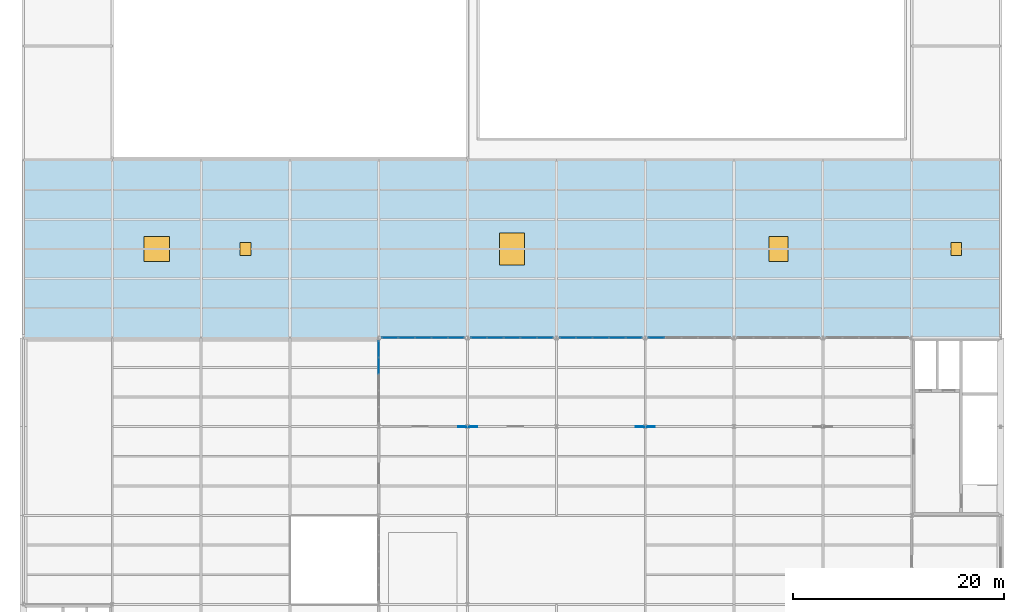
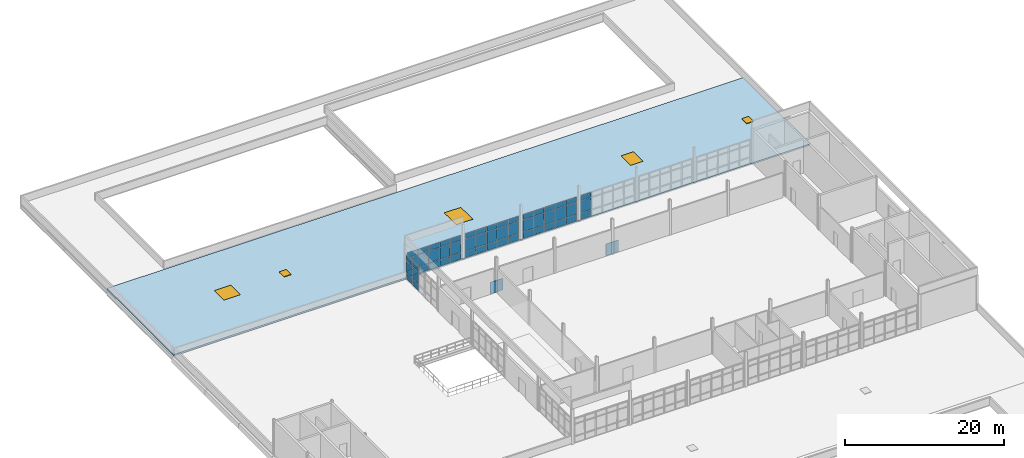
# One storey, part 26 of 33: 56 plates, 3 windows, 2 doors, 1 slab, 5 openings, 5 elements without a shape of their own.
"""IFC4 building model written with IfcOpenShell, lengths in metres."""

from ifc_helpers import new_model, si_unit, direction, frame, origin, origin_2d, place, context, subcontext, project, spatial, polyline, rectangle, outline, extrude, material, layer, layer_set, type_object, element, fill, aggregate, save


model = new_model("IFC4")

# Units and contexts
model_context = context("Model", 3, precision=1e-05, world=origin(), true_north=direction((0.0, 1.0)))
body_context = subcontext(model_context, "Body", "Model", "MODEL_VIEW")
ifc_project = project(units=[si_unit("LENGTHUNIT", "METRE"), si_unit("AREAUNIT", "SQUARE_METRE"), si_unit("VOLUMEUNIT", "CUBIC_METRE"), si_unit("PLANEANGLEUNIT", "RADIAN"), si_unit("MASSUNIT", "GRAM", prefix="KILO"), si_unit("THERMODYNAMICTEMPERATUREUNIT", "KELVIN"), si_unit("POWERUNIT", "WATT")], contexts=[model_context])

# Site, building, storey
site_placement = place(None, origin())
site = spatial("IfcSite", under=ifc_project, at=site_placement, CompositionType="ELEMENT")
building_placement = place(site_placement, origin())
building = spatial("IfcBuilding", under=site, at=building_placement, Name="Tembeka Court Mobility Hub", CompositionType="ELEMENT")
storey_placement = place(building_placement, frame((0.0, 0.0, 23.39990234375)))
storey = spatial("IfcBuildingStorey", under=building, at=storey_placement, Name="L06", CompositionType="ELEMENT", Elevation=23.39990234375)

# Plates
ifc_material_1 = material(Name="Framed galvanised steel sports court rebound mesh panel", Category="steel")
ifc_layer_1 = layer(ifc_material_1, 0.075927734375)
ifc_layer_set_1 = layer_set([ifc_layer_1], Name="Framed galvanised steel sports court rebound mesh panel")
plate_type_1 = type_object("IfcPlateType", Name="PL-AC02", PredefinedType="SHEET", material=ifc_layer_set_1)
for number, where, z_axis, x_axis, name in (
    (1, (42.0, 72.0, 0.0), (0.0, 0.0, 1.0), (1.0, 0.0, 0.0), "Sports court rebound mesh panel AP02-1"),
    (2, (58.800048828125, 72.0, 0.0), (0.0, 0.0, 1.0), (1.0, 0.0, 0.0), "Sports court rebound mesh panel AP02-2"),
):
    element("IfcPlate", number, at=place(storey_placement, frame(where, z_axis=z_axis, x_axis=x_axis)), inside=storey, type_object=plate_type_1, Name=name, PredefinedType="SHEET", context=body_context, shape_type="SweptSolid", body=[
        extrude(rectangle(XDim=1.800048828125, YDim=0.075927734375, at=origin_2d()), origin(), (0.0, 0.0, 1.0), 1.800048828125),
    ])

# Curtain wall, plates
ifc_material_2 = material(Name="Anodised aluminium 6063-T6", Category="aluminium")
ifc_layer_2 = layer(ifc_material_2, 0.159912109375)
ifc_layer_set_2 = layer_set([ifc_layer_2], Name="Anodised aluminium 6063-T6")
curtain_wall_type = type_object("IfcCurtainWallType", Name="CW-SYS57", PredefinedType="USERDEFINED", material=ifc_layer_set_2)
curtain_wall_1_placement = place(storey_placement, origin())
curtain_wall_1 = element("IfcCurtainWall", 3, at=curtain_wall_1_placement, inside=storey, type_object=curtain_wall_type, Name="Unitised curtain wall CW57 (CW-L06-151)", ObjectType="UNITISED GLAZING", PredefinedType="USERDEFINED")
ifc_material_3 = material(Name="Laminated solar-control low-E glass", Category="glass")
ifc_layer_3 = layer(ifc_material_3, 0.028076171875)
ifc_layer_set_3 = layer_set([ifc_layer_3], Name="Laminated solar-control low-E glass")
plate_type_2 = type_object("IfcPlateType", Name="PL-CW01", PredefinedType="CURTAIN_PANEL", material=ifc_layer_set_3)
plate_1_placement = place(storey_placement, frame((33.60009765625, 77.76806640625, 0.06494140625), z_axis=(0.0, 0.0, 1.0), x_axis=(0.0, 1.0, 0.0)))
plate_1 = element("IfcPlate", 4, at=plate_1_placement, type_object=plate_type_2, Name="CW57 panel 4.1", PredefinedType="CURTAIN_PANEL", context=body_context, shape_type="SweptSolid", body=[
    extrude(rectangle(XDim=1.5029296875, YDim=0.028076171875, at=origin_2d()), origin(), (0.0, 0.0, 1.0), 0.952392578125),
])
plate_2_placement = place(storey_placement, frame((33.60009765625, 77.76806640625, 1.08251953125), z_axis=(0.0, 0.0, 1.0), x_axis=(0.0, 1.0, 0.0)))
plate_2 = element("IfcPlate", 5, at=plate_2_placement, type_object=plate_type_2, Name="CW57 panel 4.2", PredefinedType="CURTAIN_PANEL", context=body_context, shape_type="SweptSolid", body=[
    extrude(rectangle(XDim=1.5029296875, YDim=0.028076171875, at=origin_2d()), origin(), (0.0, 0.0, 1.0), 1.830078125),
])
plate_3_placement = place(storey_placement, frame((33.60009765625, 77.76806640625, 2.9775390625), z_axis=(0.0, 0.0, 1.0), x_axis=(0.0, 1.0, 0.0)))
plate_3 = element("IfcPlate", 6, at=plate_3_placement, type_object=plate_type_2, Name="CW57 panel 4.3", PredefinedType="CURTAIN_PANEL", context=body_context, shape_type="SweptSolid", body=[
    extrude(rectangle(XDim=1.5029296875, YDim=0.028076171875, at=origin_2d()), origin(), (0.0, 0.0, 1.0), 0.75244140625),
])
plate_4_placement = place(storey_placement, frame((33.60009765625, 79.31982421875, 0.06494140625), z_axis=(0.0, 0.0, 1.0), x_axis=(0.0, 1.0, 0.0)))
plate_4 = element("IfcPlate", 7, at=plate_4_placement, type_object=plate_type_2, Name="CW57 panel 5.1", PredefinedType="CURTAIN_PANEL", context=body_context, shape_type="SweptSolid", body=[
    extrude(rectangle(XDim=1.470458984375, YDim=0.028076171875, at=origin_2d()), origin(), (0.0, 0.0, 1.0), 0.952392578125),
])
plate_5_placement = place(storey_placement, frame((33.60009765625, 79.31982421875, 1.08251953125), z_axis=(0.0, 0.0, 1.0), x_axis=(0.0, 1.0, 0.0)))
plate_5 = element("IfcPlate", 8, at=plate_5_placement, type_object=plate_type_2, Name="CW57 panel 5.2", PredefinedType="CURTAIN_PANEL", context=body_context, shape_type="SweptSolid", body=[
    extrude(rectangle(XDim=1.470458984375, YDim=0.028076171875, at=origin_2d()), origin(), (0.0, 0.0, 1.0), 1.830078125),
])
plate_6_placement = place(storey_placement, frame((33.60009765625, 79.31982421875, 2.9775390625), z_axis=(0.0, 0.0, 1.0), x_axis=(0.0, 1.0, 0.0)))
plate_6 = element("IfcPlate", 9, at=plate_6_placement, type_object=plate_type_2, Name="CW57 panel 5.3", PredefinedType="CURTAIN_PANEL", context=body_context, shape_type="SweptSolid", body=[
    extrude(rectangle(XDim=1.470458984375, YDim=0.028076171875, at=origin_2d()), origin(), (0.0, 0.0, 1.0), 0.75244140625),
])
aggregate(curtain_wall_1, [plate_1, plate_2, plate_3, plate_4, plate_5, plate_6])

curtain_wall_2_placement = place(storey_placement, origin())
curtain_wall_2 = element("IfcCurtainWall", 10, at=curtain_wall_2_placement, inside=storey, type_object=curtain_wall_type, Name="Unitised curtain wall CW57 (CW-L06-153)", ObjectType="UNITISED GLAZING", PredefinedType="USERDEFINED")
plate_7_placement = place(storey_placement, frame((34.68017578125, 80.39990234375, 0.06494140625), z_axis=(0.0, 0.0, 1.0), x_axis=(1.0, 0.0, 0.0)))
plate_7 = element("IfcPlate", 11, at=plate_7_placement, type_object=plate_type_2, Name="CW57 panel 1.1", PredefinedType="CURTAIN_PANEL", context=body_context, shape_type="SweptSolid", body=[
    extrude(rectangle(XDim=1.470458984375, YDim=0.028076171875, at=origin_2d()), origin(), (0.0, 0.0, 1.0), 0.952392578125),
])
plate_8_placement = place(storey_placement, frame((34.68017578125, 80.39990234375, 1.08251953125), z_axis=(0.0, 0.0, 1.0), x_axis=(1.0, 0.0, 0.0)))
plate_8 = element("IfcPlate", 12, at=plate_8_placement, type_object=plate_type_2, Name="CW57 panel 1.2", PredefinedType="CURTAIN_PANEL", context=body_context, shape_type="SweptSolid", body=[
    extrude(rectangle(XDim=1.470458984375, YDim=0.028076171875, at=origin_2d()), origin(), (0.0, 0.0, 1.0), 1.830078125),
])
plate_9_placement = place(storey_placement, frame((34.68017578125, 80.39990234375, 2.9775390625), z_axis=(0.0, 0.0, 1.0), x_axis=(1.0, 0.0, 0.0)))
plate_9 = element("IfcPlate", 13, at=plate_9_placement, type_object=plate_type_2, Name="CW57 panel 1.3", PredefinedType="CURTAIN_PANEL", context=body_context, shape_type="SweptSolid", body=[
    extrude(rectangle(XDim=1.470458984375, YDim=0.028076171875, at=origin_2d()), origin(), (0.0, 0.0, 1.0), 0.75244140625),
])
plate_10_placement = place(storey_placement, frame((36.23193359375, 80.39990234375, 0.06494140625), z_axis=(0.0, 0.0, 1.0), x_axis=(1.0, 0.0, 0.0)))
plate_10 = element("IfcPlate", 14, at=plate_10_placement, type_object=plate_type_2, Name="CW57 panel 2.1", PredefinedType="CURTAIN_PANEL", context=body_context, shape_type="SweptSolid", body=[
    extrude(rectangle(XDim=1.5029296875, YDim=0.028076171875, at=origin_2d()), origin(), (0.0, 0.0, 1.0), 0.952392578125),
])
plate_11_placement = place(storey_placement, frame((36.23193359375, 80.39990234375, 1.08251953125), z_axis=(0.0, 0.0, 1.0), x_axis=(1.0, 0.0, 0.0)))
plate_11 = element("IfcPlate", 15, at=plate_11_placement, type_object=plate_type_2, Name="CW57 panel 2.2", PredefinedType="CURTAIN_PANEL", context=body_context, shape_type="SweptSolid", body=[
    extrude(rectangle(XDim=1.5029296875, YDim=0.028076171875, at=origin_2d()), origin(), (0.0, 0.0, 1.0), 1.830078125),
])
plate_12_placement = place(storey_placement, frame((36.23193359375, 80.39990234375, 2.9775390625), z_axis=(0.0, 0.0, 1.0), x_axis=(1.0, 0.0, 0.0)))
plate_12 = element("IfcPlate", 16, at=plate_12_placement, type_object=plate_type_2, Name="CW57 panel 2.3", PredefinedType="CURTAIN_PANEL", context=body_context, shape_type="SweptSolid", body=[
    extrude(rectangle(XDim=1.5029296875, YDim=0.028076171875, at=origin_2d()), origin(), (0.0, 0.0, 1.0), 0.75244140625),
])
plate_13_placement = place(storey_placement, frame((37.800048828125, 80.39990234375, 0.06494140625), z_axis=(0.0, 0.0, 1.0), x_axis=(1.0, 0.0, 0.0)))
plate_13 = element("IfcPlate", 17, at=plate_13_placement, type_object=plate_type_2, Name="CW57 panel 3.1", PredefinedType="CURTAIN_PANEL", context=body_context, shape_type="SweptSolid", body=[
    extrude(rectangle(XDim=1.5029296875, YDim=0.028076171875, at=origin_2d()), origin(), (0.0, 0.0, 1.0), 0.952392578125),
])
plate_14_placement = place(storey_placement, frame((37.800048828125, 80.39990234375, 1.08251953125), z_axis=(0.0, 0.0, 1.0), x_axis=(1.0, 0.0, 0.0)))
plate_14 = element("IfcPlate", 18, at=plate_14_placement, type_object=plate_type_2, Name="CW57 panel 3.2", PredefinedType="CURTAIN_PANEL", context=body_context, shape_type="SweptSolid", body=[
    extrude(rectangle(XDim=1.5029296875, YDim=0.028076171875, at=origin_2d()), origin(), (0.0, 0.0, 1.0), 1.830078125),
])
plate_15_placement = place(storey_placement, frame((37.800048828125, 80.39990234375, 2.9775390625), z_axis=(0.0, 0.0, 1.0), x_axis=(1.0, 0.0, 0.0)))
plate_15 = element("IfcPlate", 19, at=plate_15_placement, type_object=plate_type_2, Name="CW57 panel 3.3", PredefinedType="CURTAIN_PANEL", context=body_context, shape_type="SweptSolid", body=[
    extrude(rectangle(XDim=1.5029296875, YDim=0.028076171875, at=origin_2d()), origin(), (0.0, 0.0, 1.0), 0.75244140625),
])
plate_16_placement = place(storey_placement, frame((39.367919921875, 80.39990234375, 0.06494140625), z_axis=(0.0, 0.0, 1.0), x_axis=(1.0, 0.0, 0.0)))
plate_16 = element("IfcPlate", 20, at=plate_16_placement, type_object=plate_type_2, Name="CW57 panel 4.1", PredefinedType="CURTAIN_PANEL", context=body_context, shape_type="SweptSolid", body=[
    extrude(rectangle(XDim=1.5029296875, YDim=0.028076171875, at=origin_2d()), origin(), (0.0, 0.0, 1.0), 0.952392578125),
])
plate_17_placement = place(storey_placement, frame((39.367919921875, 80.39990234375, 1.08251953125), z_axis=(0.0, 0.0, 1.0), x_axis=(1.0, 0.0, 0.0)))
plate_17 = element("IfcPlate", 21, at=plate_17_placement, type_object=plate_type_2, Name="CW57 panel 4.2", PredefinedType="CURTAIN_PANEL", context=body_context, shape_type="SweptSolid", body=[
    extrude(rectangle(XDim=1.5029296875, YDim=0.028076171875, at=origin_2d()), origin(), (0.0, 0.0, 1.0), 1.830078125),
])
plate_18_placement = place(storey_placement, frame((39.367919921875, 80.39990234375, 2.9775390625), z_axis=(0.0, 0.0, 1.0), x_axis=(1.0, 0.0, 0.0)))
plate_18 = element("IfcPlate", 22, at=plate_18_placement, type_object=plate_type_2, Name="CW57 panel 4.3", PredefinedType="CURTAIN_PANEL", context=body_context, shape_type="SweptSolid", body=[
    extrude(rectangle(XDim=1.5029296875, YDim=0.028076171875, at=origin_2d()), origin(), (0.0, 0.0, 1.0), 0.75244140625),
])
plate_19_placement = place(storey_placement, frame((40.919677734375, 80.39990234375, 0.06494140625), z_axis=(0.0, 0.0, 1.0), x_axis=(1.0, 0.0, 0.0)))
plate_19 = element("IfcPlate", 23, at=plate_19_placement, type_object=plate_type_2, Name="CW57 panel 5.1", PredefinedType="CURTAIN_PANEL", context=body_context, shape_type="SweptSolid", body=[
    extrude(rectangle(XDim=1.470458984375, YDim=0.028076171875, at=origin_2d()), origin(), (0.0, 0.0, 1.0), 0.952392578125),
])
plate_20_placement = place(storey_placement, frame((40.919677734375, 80.39990234375, 1.08251953125), z_axis=(0.0, 0.0, 1.0), x_axis=(1.0, 0.0, 0.0)))
plate_20 = element("IfcPlate", 24, at=plate_20_placement, type_object=plate_type_2, Name="CW57 panel 5.2", PredefinedType="CURTAIN_PANEL", context=body_context, shape_type="SweptSolid", body=[
    extrude(rectangle(XDim=1.470458984375, YDim=0.028076171875, at=origin_2d()), origin(), (0.0, 0.0, 1.0), 1.830078125),
])
plate_21_placement = place(storey_placement, frame((40.919677734375, 80.39990234375, 2.9775390625), z_axis=(0.0, 0.0, 1.0), x_axis=(1.0, 0.0, 0.0)))
plate_21 = element("IfcPlate", 25, at=plate_21_placement, type_object=plate_type_2, Name="CW57 panel 5.3", PredefinedType="CURTAIN_PANEL", context=body_context, shape_type="SweptSolid", body=[
    extrude(rectangle(XDim=1.470458984375, YDim=0.028076171875, at=origin_2d()), origin(), (0.0, 0.0, 1.0), 0.75244140625),
])
aggregate(curtain_wall_2, [plate_7, plate_8, plate_9, plate_10, plate_11, plate_12, plate_13, plate_14, plate_15, plate_16, plate_17, plate_18, plate_19, plate_20, plate_21])

curtain_wall_3_placement = place(storey_placement, origin())
curtain_wall_3 = element("IfcCurtainWall", 26, at=curtain_wall_3_placement, inside=storey, type_object=curtain_wall_type, Name="Unitised curtain wall CW57 (CW-L06-155)", ObjectType="UNITISED GLAZING", PredefinedType="USERDEFINED")
plate_22_placement = place(storey_placement, frame((43.080322265625, 80.39990234375, 0.06494140625), z_axis=(0.0, 0.0, 1.0), x_axis=(1.0, 0.0, 0.0)))
plate_22 = element("IfcPlate", 27, at=plate_22_placement, type_object=plate_type_2, Name="CW57 panel 1.1", PredefinedType="CURTAIN_PANEL", context=body_context, shape_type="SweptSolid", body=[
    extrude(rectangle(XDim=1.470458984375, YDim=0.028076171875, at=origin_2d()), origin(), (0.0, 0.0, 1.0), 0.952392578125),
])
plate_23_placement = place(storey_placement, frame((43.080322265625, 80.39990234375, 1.08251953125), z_axis=(0.0, 0.0, 1.0), x_axis=(1.0, 0.0, 0.0)))
plate_23 = element("IfcPlate", 28, at=plate_23_placement, type_object=plate_type_2, Name="CW57 panel 1.2", PredefinedType="CURTAIN_PANEL", context=body_context, shape_type="SweptSolid", body=[
    extrude(rectangle(XDim=1.470458984375, YDim=0.028076171875, at=origin_2d()), origin(), (0.0, 0.0, 1.0), 1.830078125),
])
plate_24_placement = place(storey_placement, frame((43.080322265625, 80.39990234375, 2.9775390625), z_axis=(0.0, 0.0, 1.0), x_axis=(1.0, 0.0, 0.0)))
plate_24 = element("IfcPlate", 29, at=plate_24_placement, type_object=plate_type_2, Name="CW57 panel 1.3", PredefinedType="CURTAIN_PANEL", context=body_context, shape_type="SweptSolid", body=[
    extrude(rectangle(XDim=1.470458984375, YDim=0.028076171875, at=origin_2d()), origin(), (0.0, 0.0, 1.0), 0.75244140625),
])
plate_25_placement = place(storey_placement, frame((44.632080078125, 80.39990234375, 0.06494140625), z_axis=(0.0, 0.0, 1.0), x_axis=(1.0, 0.0, 0.0)))
plate_25 = element("IfcPlate", 30, at=plate_25_placement, type_object=plate_type_2, Name="CW57 panel 2.1", PredefinedType="CURTAIN_PANEL", context=body_context, shape_type="SweptSolid", body=[
    extrude(rectangle(XDim=1.5029296875, YDim=0.028076171875, at=origin_2d()), origin(), (0.0, 0.0, 1.0), 0.952392578125),
])
plate_26_placement = place(storey_placement, frame((44.632080078125, 80.39990234375, 1.08251953125), z_axis=(0.0, 0.0, 1.0), x_axis=(1.0, 0.0, 0.0)))
plate_26 = element("IfcPlate", 31, at=plate_26_placement, type_object=plate_type_2, Name="CW57 panel 2.2", PredefinedType="CURTAIN_PANEL", context=body_context, shape_type="SweptSolid", body=[
    extrude(rectangle(XDim=1.5029296875, YDim=0.028076171875, at=origin_2d()), origin(), (0.0, 0.0, 1.0), 1.830078125),
])
plate_27_placement = place(storey_placement, frame((44.632080078125, 80.39990234375, 2.9775390625), z_axis=(0.0, 0.0, 1.0), x_axis=(1.0, 0.0, 0.0)))
plate_27 = element("IfcPlate", 32, at=plate_27_placement, type_object=plate_type_2, Name="CW57 panel 2.3", PredefinedType="CURTAIN_PANEL", context=body_context, shape_type="SweptSolid", body=[
    extrude(rectangle(XDim=1.5029296875, YDim=0.028076171875, at=origin_2d()), origin(), (0.0, 0.0, 1.0), 0.75244140625),
])
plate_28_placement = place(storey_placement, frame((46.199951171875, 80.39990234375, 0.06494140625), z_axis=(0.0, 0.0, 1.0), x_axis=(1.0, 0.0, 0.0)))
plate_28 = element("IfcPlate", 33, at=plate_28_placement, type_object=plate_type_2, Name="CW57 panel 3.1", PredefinedType="CURTAIN_PANEL", context=body_context, shape_type="SweptSolid", body=[
    extrude(rectangle(XDim=1.5029296875, YDim=0.028076171875, at=origin_2d()), origin(), (0.0, 0.0, 1.0), 0.952392578125),
])
plate_29_placement = place(storey_placement, frame((46.199951171875, 80.39990234375, 1.08251953125), z_axis=(0.0, 0.0, 1.0), x_axis=(1.0, 0.0, 0.0)))
plate_29 = element("IfcPlate", 34, at=plate_29_placement, type_object=plate_type_2, Name="CW57 panel 3.2", PredefinedType="CURTAIN_PANEL", context=body_context, shape_type="SweptSolid", body=[
    extrude(rectangle(XDim=1.5029296875, YDim=0.028076171875, at=origin_2d()), origin(), (0.0, 0.0, 1.0), 1.830078125),
])
plate_30_placement = place(storey_placement, frame((46.199951171875, 80.39990234375, 2.9775390625), z_axis=(0.0, 0.0, 1.0), x_axis=(1.0, 0.0, 0.0)))
plate_30 = element("IfcPlate", 35, at=plate_30_placement, type_object=plate_type_2, Name="CW57 panel 3.3", PredefinedType="CURTAIN_PANEL", context=body_context, shape_type="SweptSolid", body=[
    extrude(rectangle(XDim=1.5029296875, YDim=0.028076171875, at=origin_2d()), origin(), (0.0, 0.0, 1.0), 0.75244140625),
])
plate_31_placement = place(storey_placement, frame((47.76806640625, 80.39990234375, 0.06494140625), z_axis=(0.0, 0.0, 1.0), x_axis=(1.0, 0.0, 0.0)))
plate_31 = element("IfcPlate", 36, at=plate_31_placement, type_object=plate_type_2, Name="CW57 panel 4.1", PredefinedType="CURTAIN_PANEL", context=body_context, shape_type="SweptSolid", body=[
    extrude(rectangle(XDim=1.5029296875, YDim=0.028076171875, at=origin_2d()), origin(), (0.0, 0.0, 1.0), 0.952392578125),
])
plate_32_placement = place(storey_placement, frame((47.76806640625, 80.39990234375, 1.08251953125), z_axis=(0.0, 0.0, 1.0), x_axis=(1.0, 0.0, 0.0)))
plate_32 = element("IfcPlate", 37, at=plate_32_placement, type_object=plate_type_2, Name="CW57 panel 4.2", PredefinedType="CURTAIN_PANEL", context=body_context, shape_type="SweptSolid", body=[
    extrude(rectangle(XDim=1.5029296875, YDim=0.028076171875, at=origin_2d()), origin(), (0.0, 0.0, 1.0), 1.830078125),
])
plate_33_placement = place(storey_placement, frame((47.76806640625, 80.39990234375, 2.9775390625), z_axis=(0.0, 0.0, 1.0), x_axis=(1.0, 0.0, 0.0)))
plate_33 = element("IfcPlate", 38, at=plate_33_placement, type_object=plate_type_2, Name="CW57 panel 4.3", PredefinedType="CURTAIN_PANEL", context=body_context, shape_type="SweptSolid", body=[
    extrude(rectangle(XDim=1.5029296875, YDim=0.028076171875, at=origin_2d()), origin(), (0.0, 0.0, 1.0), 0.75244140625),
])
plate_34_placement = place(storey_placement, frame((49.31982421875, 80.39990234375, 0.06494140625), z_axis=(0.0, 0.0, 1.0), x_axis=(1.0, 0.0, 0.0)))
plate_34 = element("IfcPlate", 39, at=plate_34_placement, type_object=plate_type_2, Name="CW57 panel 5.1", PredefinedType="CURTAIN_PANEL", context=body_context, shape_type="SweptSolid", body=[
    extrude(rectangle(XDim=1.470458984375, YDim=0.028076171875, at=origin_2d()), origin(), (0.0, 0.0, 1.0), 0.952392578125),
])
plate_35_placement = place(storey_placement, frame((49.31982421875, 80.39990234375, 1.08251953125), z_axis=(0.0, 0.0, 1.0), x_axis=(1.0, 0.0, 0.0)))
plate_35 = element("IfcPlate", 40, at=plate_35_placement, type_object=plate_type_2, Name="CW57 panel 5.2", PredefinedType="CURTAIN_PANEL", context=body_context, shape_type="SweptSolid", body=[
    extrude(rectangle(XDim=1.470458984375, YDim=0.028076171875, at=origin_2d()), origin(), (0.0, 0.0, 1.0), 1.830078125),
])
plate_36_placement = place(storey_placement, frame((49.31982421875, 80.39990234375, 2.9775390625), z_axis=(0.0, 0.0, 1.0), x_axis=(1.0, 0.0, 0.0)))
plate_36 = element("IfcPlate", 41, at=plate_36_placement, type_object=plate_type_2, Name="CW57 panel 5.3", PredefinedType="CURTAIN_PANEL", context=body_context, shape_type="SweptSolid", body=[
    extrude(rectangle(XDim=1.470458984375, YDim=0.028076171875, at=origin_2d()), origin(), (0.0, 0.0, 1.0), 0.75244140625),
])
aggregate(curtain_wall_3, [plate_22, plate_23, plate_24, plate_25, plate_26, plate_27, plate_28, plate_29, plate_30, plate_31, plate_32, plate_33, plate_34, plate_35, plate_36])

curtain_wall_4_placement = place(storey_placement, origin())
curtain_wall_4 = element("IfcCurtainWall", 42, at=curtain_wall_4_placement, inside=storey, type_object=curtain_wall_type, Name="Unitised curtain wall CW57 (CW-L06-157)", ObjectType="UNITISED GLAZING", PredefinedType="USERDEFINED")
plate_37_placement = place(storey_placement, frame((51.480224609375, 80.39990234375, 0.06494140625), z_axis=(0.0, 0.0, 1.0), x_axis=(1.0, 0.0, 0.0)))
plate_37 = element("IfcPlate", 43, at=plate_37_placement, type_object=plate_type_2, Name="CW57 panel 1.1", PredefinedType="CURTAIN_PANEL", context=body_context, shape_type="SweptSolid", body=[
    extrude(rectangle(XDim=1.470458984375, YDim=0.028076171875, at=origin_2d()), origin(), (0.0, 0.0, 1.0), 0.952392578125),
])
plate_38_placement = place(storey_placement, frame((51.480224609375, 80.39990234375, 1.08251953125), z_axis=(0.0, 0.0, 1.0), x_axis=(1.0, 0.0, 0.0)))
plate_38 = element("IfcPlate", 44, at=plate_38_placement, type_object=plate_type_2, Name="CW57 panel 1.2", PredefinedType="CURTAIN_PANEL", context=body_context, shape_type="SweptSolid", body=[
    extrude(rectangle(XDim=1.470458984375, YDim=0.028076171875, at=origin_2d()), origin(), (0.0, 0.0, 1.0), 1.830078125),
])
plate_39_placement = place(storey_placement, frame((51.480224609375, 80.39990234375, 2.9775390625), z_axis=(0.0, 0.0, 1.0), x_axis=(1.0, 0.0, 0.0)))
plate_39 = element("IfcPlate", 45, at=plate_39_placement, type_object=plate_type_2, Name="CW57 panel 1.3", PredefinedType="CURTAIN_PANEL", context=body_context, shape_type="SweptSolid", body=[
    extrude(rectangle(XDim=1.470458984375, YDim=0.028076171875, at=origin_2d()), origin(), (0.0, 0.0, 1.0), 0.75244140625),
])
plate_40_placement = place(storey_placement, frame((53.031982421875, 80.39990234375, 0.06494140625), z_axis=(0.0, 0.0, 1.0), x_axis=(1.0, 0.0, 0.0)))
plate_40 = element("IfcPlate", 46, at=plate_40_placement, type_object=plate_type_2, Name="CW57 panel 2.1", PredefinedType="CURTAIN_PANEL", context=body_context, shape_type="SweptSolid", body=[
    extrude(rectangle(XDim=1.5029296875, YDim=0.028076171875, at=origin_2d()), origin(), (0.0, 0.0, 1.0), 0.952392578125),
])
plate_41_placement = place(storey_placement, frame((53.031982421875, 80.39990234375, 1.08251953125), z_axis=(0.0, 0.0, 1.0), x_axis=(1.0, 0.0, 0.0)))
plate_41 = element("IfcPlate", 47, at=plate_41_placement, type_object=plate_type_2, Name="CW57 panel 2.2", PredefinedType="CURTAIN_PANEL", context=body_context, shape_type="SweptSolid", body=[
    extrude(rectangle(XDim=1.5029296875, YDim=0.028076171875, at=origin_2d()), origin(), (0.0, 0.0, 1.0), 1.830078125),
])
plate_42_placement = place(storey_placement, frame((53.031982421875, 80.39990234375, 2.9775390625), z_axis=(0.0, 0.0, 1.0), x_axis=(1.0, 0.0, 0.0)))
plate_42 = element("IfcPlate", 48, at=plate_42_placement, type_object=plate_type_2, Name="CW57 panel 2.3", PredefinedType="CURTAIN_PANEL", context=body_context, shape_type="SweptSolid", body=[
    extrude(rectangle(XDim=1.5029296875, YDim=0.028076171875, at=origin_2d()), origin(), (0.0, 0.0, 1.0), 0.75244140625),
])
plate_43_placement = place(storey_placement, frame((54.60009765625, 80.39990234375, 0.06494140625), z_axis=(0.0, 0.0, 1.0), x_axis=(1.0, 0.0, 0.0)))
plate_43 = element("IfcPlate", 49, at=plate_43_placement, type_object=plate_type_2, Name="CW57 panel 3.1", PredefinedType="CURTAIN_PANEL", context=body_context, shape_type="SweptSolid", body=[
    extrude(rectangle(XDim=1.5029296875, YDim=0.028076171875, at=origin_2d()), origin(), (0.0, 0.0, 1.0), 0.952392578125),
])
plate_44_placement = place(storey_placement, frame((54.60009765625, 80.39990234375, 1.08251953125), z_axis=(0.0, 0.0, 1.0), x_axis=(1.0, 0.0, 0.0)))
plate_44 = element("IfcPlate", 50, at=plate_44_placement, type_object=plate_type_2, Name="CW57 panel 3.2", PredefinedType="CURTAIN_PANEL", context=body_context, shape_type="SweptSolid", body=[
    extrude(rectangle(XDim=1.5029296875, YDim=0.028076171875, at=origin_2d()), origin(), (0.0, 0.0, 1.0), 1.830078125),
])
plate_45_placement = place(storey_placement, frame((54.60009765625, 80.39990234375, 2.9775390625), z_axis=(0.0, 0.0, 1.0), x_axis=(1.0, 0.0, 0.0)))
plate_45 = element("IfcPlate", 51, at=plate_45_placement, type_object=plate_type_2, Name="CW57 panel 3.3", PredefinedType="CURTAIN_PANEL", context=body_context, shape_type="SweptSolid", body=[
    extrude(rectangle(XDim=1.5029296875, YDim=0.028076171875, at=origin_2d()), origin(), (0.0, 0.0, 1.0), 0.75244140625),
])
plate_46_placement = place(storey_placement, frame((56.16796875, 80.39990234375, 0.06494140625), z_axis=(0.0, 0.0, 1.0), x_axis=(1.0, 0.0, 0.0)))
plate_46 = element("IfcPlate", 52, at=plate_46_placement, type_object=plate_type_2, Name="CW57 panel 4.1", PredefinedType="CURTAIN_PANEL", context=body_context, shape_type="SweptSolid", body=[
    extrude(rectangle(XDim=1.5029296875, YDim=0.028076171875, at=origin_2d()), origin(), (0.0, 0.0, 1.0), 0.952392578125),
])
plate_47_placement = place(storey_placement, frame((56.16796875, 80.39990234375, 1.08251953125), z_axis=(0.0, 0.0, 1.0), x_axis=(1.0, 0.0, 0.0)))
plate_47 = element("IfcPlate", 53, at=plate_47_placement, type_object=plate_type_2, Name="CW57 panel 4.2", PredefinedType="CURTAIN_PANEL", context=body_context, shape_type="SweptSolid", body=[
    extrude(rectangle(XDim=1.5029296875, YDim=0.028076171875, at=origin_2d()), origin(), (0.0, 0.0, 1.0), 1.830078125),
])
plate_48_placement = place(storey_placement, frame((56.16796875, 80.39990234375, 2.9775390625), z_axis=(0.0, 0.0, 1.0), x_axis=(1.0, 0.0, 0.0)))
plate_48 = element("IfcPlate", 54, at=plate_48_placement, type_object=plate_type_2, Name="CW57 panel 4.3", PredefinedType="CURTAIN_PANEL", context=body_context, shape_type="SweptSolid", body=[
    extrude(rectangle(XDim=1.5029296875, YDim=0.028076171875, at=origin_2d()), origin(), (0.0, 0.0, 1.0), 0.75244140625),
])
plate_49_placement = place(storey_placement, frame((57.7197265625, 80.39990234375, 0.06494140625), z_axis=(0.0, 0.0, 1.0), x_axis=(1.0, 0.0, 0.0)))
plate_49 = element("IfcPlate", 55, at=plate_49_placement, type_object=plate_type_2, Name="CW57 panel 5.1", PredefinedType="CURTAIN_PANEL", context=body_context, shape_type="SweptSolid", body=[
    extrude(rectangle(XDim=1.470458984375, YDim=0.028076171875, at=origin_2d()), origin(), (0.0, 0.0, 1.0), 0.952392578125),
])
plate_50_placement = place(storey_placement, frame((57.7197265625, 80.39990234375, 1.08251953125), z_axis=(0.0, 0.0, 1.0), x_axis=(1.0, 0.0, 0.0)))
plate_50 = element("IfcPlate", 56, at=plate_50_placement, type_object=plate_type_2, Name="CW57 panel 5.2", PredefinedType="CURTAIN_PANEL", context=body_context, shape_type="SweptSolid", body=[
    extrude(rectangle(XDim=1.470458984375, YDim=0.028076171875, at=origin_2d()), origin(), (0.0, 0.0, 1.0), 1.830078125),
])
plate_51_placement = place(storey_placement, frame((57.7197265625, 80.39990234375, 2.9775390625), z_axis=(0.0, 0.0, 1.0), x_axis=(1.0, 0.0, 0.0)))
plate_51 = element("IfcPlate", 57, at=plate_51_placement, type_object=plate_type_2, Name="CW57 panel 5.3", PredefinedType="CURTAIN_PANEL", context=body_context, shape_type="SweptSolid", body=[
    extrude(rectangle(XDim=1.470458984375, YDim=0.028076171875, at=origin_2d()), origin(), (0.0, 0.0, 1.0), 0.75244140625),
])
aggregate(curtain_wall_4, [plate_37, plate_38, plate_39, plate_40, plate_41, plate_42, plate_43, plate_44, plate_45, plate_46, plate_47, plate_48, plate_49, plate_50, plate_51])

curtain_wall_5_placement = place(storey_placement, origin())
curtain_wall_5 = element("IfcCurtainWall", 58, at=curtain_wall_5_placement, inside=storey, type_object=curtain_wall_type, Name="Unitised curtain wall CW57 (CW-L06-159)", ObjectType="UNITISED GLAZING", PredefinedType="USERDEFINED")
plate_52_placement = place(storey_placement, frame((59.88037109375, 80.39990234375, 0.06494140625), z_axis=(0.0, 0.0, 1.0), x_axis=(1.0, 0.0, 0.0)))
plate_52 = element("IfcPlate", 59, at=plate_52_placement, type_object=plate_type_2, Name="CW57 panel 1.1", PredefinedType="CURTAIN_PANEL", context=body_context, shape_type="SweptSolid", body=[
    extrude(rectangle(XDim=1.470458984375, YDim=0.028076171875, at=origin_2d()), origin(), (0.0, 0.0, 1.0), 0.952392578125),
])
plate_53_placement = place(storey_placement, frame((59.88037109375, 80.39990234375, 1.08251953125), z_axis=(0.0, 0.0, 1.0), x_axis=(1.0, 0.0, 0.0)))
plate_53 = element("IfcPlate", 60, at=plate_53_placement, type_object=plate_type_2, Name="CW57 panel 1.2", PredefinedType="CURTAIN_PANEL", context=body_context, shape_type="SweptSolid", body=[
    extrude(rectangle(XDim=1.470458984375, YDim=0.028076171875, at=origin_2d()), origin(), (0.0, 0.0, 1.0), 1.830078125),
])
plate_54_placement = place(storey_placement, frame((59.88037109375, 80.39990234375, 2.9775390625), z_axis=(0.0, 0.0, 1.0), x_axis=(1.0, 0.0, 0.0)))
plate_54 = element("IfcPlate", 61, at=plate_54_placement, type_object=plate_type_2, Name="CW57 panel 1.3", PredefinedType="CURTAIN_PANEL", context=body_context, shape_type="SweptSolid", body=[
    extrude(rectangle(XDim=1.470458984375, YDim=0.028076171875, at=origin_2d()), origin(), (0.0, 0.0, 1.0), 0.75244140625),
])
aggregate(curtain_wall_5, [plate_52, plate_53, plate_54])

# Slab, openings, doors, windows
ifc_material_4 = material(Name="Concrete C40/50", Category="concrete")
ifc_layer_4 = layer(ifc_material_4, 0.22998046875)
ifc_layer_set_4 = layer_set([ifc_layer_4], Name="Concrete C40/50")
slab_type = type_object("IfcSlabType", Name="SL-RF01", PredefinedType="ROOF", material=ifc_layer_set_4)
slab_placement = place(storey_placement, frame((0.0, 0.0, -0.22998046875)))
slab = element("IfcSlab", 62, at=slab_placement, inside=storey, type_object=slab_type, Name="L06 north basket deck roof slab", PredefinedType="ROOF", context=body_context, shape_type="SweptSolid", body=[
    extrude(outline(polyline([(0.0, 80.39990234375), (92.39990234375, 80.39990234375), (92.39990234375, 97.199951171875), (0.0, 97.199951171875), (0.0, 80.39990234375)])), origin(), (0.0, 0.0, 1.0), 0.22998046875),
])
opening_1_placement = place(slab_placement, frame((12.60009765625, 88.800048828125, -0.010009765625)))
opening_1 = element("IfcOpeningElement", 63, at=opening_1_placement, cuts=slab, Name="Opening SK01", PredefinedType="OPENING", context=body_context, shape_type="SweptSolid", body=[
    extrude(rectangle(XDim=2.39990234375, YDim=2.39990234375, at=origin_2d()), origin(), (0.0, 0.0, 1.0), 0.25),
])
opening_2_placement = place(slab_placement, frame((46.199951171875, 88.800048828125, -0.010009765625)))
opening_2 = element("IfcOpeningElement", 64, at=opening_2_placement, cuts=slab, Name="Opening SK02", PredefinedType="OPENING", context=body_context, shape_type="SweptSolid", body=[
    extrude(rectangle(XDim=2.39990234375, YDim=3.0, at=origin_2d()), origin(), (0.0, 0.0, 1.0), 0.25),
])
opening_3_placement = place(slab_placement, frame((71.39990234375, 88.800048828125, -0.010009765625)))
opening_3 = element("IfcOpeningElement", 65, at=opening_3_placement, cuts=slab, Name="Opening SK03", PredefinedType="OPENING", context=body_context, shape_type="SweptSolid", body=[
    extrude(rectangle(XDim=1.800048828125, YDim=2.39990234375, at=origin_2d()), origin(), (0.0, 0.0, 1.0), 0.25),
])
opening_4_placement = place(slab_placement, frame((88.199951171875, 88.800048828125, -0.010009765625)))
opening_4 = element("IfcOpeningElement", 66, at=opening_4_placement, cuts=slab, Name="Opening HD01", PredefinedType="OPENING", context=body_context, shape_type="SweptSolid", body=[
    extrude(rectangle(XDim=1.0, YDim=1.199951171875, at=origin_2d()), origin(), (0.0, 0.0, 1.0), 0.320068359375),
])
opening_5_placement = place(slab_placement, frame((21.0, 88.800048828125, -0.010009765625)))
opening_5 = element("IfcOpeningElement", 67, at=opening_5_placement, cuts=slab, Name="Opening HD01", PredefinedType="OPENING", context=body_context, shape_type="SweptSolid", body=[
    extrude(rectangle(XDim=1.0, YDim=1.199951171875, at=origin_2d()), origin(), (0.0, 0.0, 1.0), 0.320068359375),
])
ifc_material_5 = material(Name="Powder-coated aluminium glazed doorset", Category="aluminium")
door_type = type_object("IfcDoorType", Name="DR-HD01", OperationType="SINGLE_SWING_LEFT", PredefinedType="TRAPDOOR", material=ifc_material_5)
door_1_placement = place(opening_4_placement, frame((0.0, 0.0, 0.239990234375)))
door_1 = element("IfcDoor", 68, at=door_1_placement, inside=storey, type_object=door_type, Name="Roof maintenance access hatch HD01-01", OperationType="SINGLE_SWING_LEFT", OverallHeight=1.199951171875, OverallWidth=1.0, PredefinedType="TRAPDOOR", context=body_context, shape_type="SweptSolid", body=[
    extrude(rectangle(XDim=1.0, YDim=1.199951171875, at=origin_2d()), origin(), (0.0, 0.0, 1.0), 0.06005859375),
])
fill(opening_4, door_1)
door_2_placement = place(opening_5_placement, frame((0.0, 0.0, 0.239990234375)))
door_2 = element("IfcDoor", 69, at=door_2_placement, inside=storey, type_object=door_type, Name="Roof maintenance access hatch HD01-06", OperationType="SINGLE_SWING_LEFT", OverallHeight=1.199951171875, OverallWidth=1.0, PredefinedType="TRAPDOOR", context=body_context, shape_type="SweptSolid", body=[
    extrude(rectangle(XDim=1.0, YDim=1.199951171875, at=origin_2d()), origin(), (0.0, 0.0, 1.0), 0.06005859375),
])
fill(opening_5, door_2)
window_type_1 = type_object("IfcWindowType", Name="WN-SK01", PartitioningType="SINGLE_PANEL", PredefinedType="SKYLIGHT", material=ifc_material_3)
window_1_placement = place(opening_1_placement, frame((0.0, 0.0, 0.18994140625)))
window_1 = element("IfcWindow", 70, at=window_1_placement, inside=storey, type_object=window_type_1, Name="Roof skylight SK01-01", OverallHeight=2.39990234375, OverallWidth=2.39990234375, PartitioningType="SINGLE_PANEL", PredefinedType="SKYLIGHT", context=body_context, shape_type="SweptSolid", body=[
    extrude(rectangle(XDim=2.39990234375, YDim=2.39990234375, at=origin_2d()), origin(), (0.0, 0.0, 1.0), 0.050048828125),
])
fill(opening_1, window_1)
window_type_2 = type_object("IfcWindowType", Name="WN-SK02", PartitioningType="SINGLE_PANEL", PredefinedType="SKYLIGHT", material=ifc_material_3)
window_2_placement = place(opening_2_placement, frame((0.0, 0.0, 0.18994140625)))
window_2 = element("IfcWindow", 71, at=window_2_placement, inside=storey, type_object=window_type_2, Name="Roof skylight SK02-02", OverallHeight=3.0, OverallWidth=2.39990234375, PartitioningType="SINGLE_PANEL", PredefinedType="SKYLIGHT", context=body_context, shape_type="SweptSolid", body=[
    extrude(rectangle(XDim=2.39990234375, YDim=3.0, at=origin_2d()), origin(), (0.0, 0.0, 1.0), 0.050048828125),
])
fill(opening_2, window_2)
window_type_3 = type_object("IfcWindowType", Name="WN-SK03", PartitioningType="SINGLE_PANEL", PredefinedType="SKYLIGHT", material=ifc_material_3)
window_3_placement = place(opening_3_placement, frame((0.0, 0.0, 0.18994140625)))
window_3 = element("IfcWindow", 72, at=window_3_placement, inside=storey, type_object=window_type_3, Name="Roof skylight SK03-03", OverallHeight=2.39990234375, OverallWidth=1.800048828125, PartitioningType="SINGLE_PANEL", PredefinedType="SKYLIGHT", context=body_context, shape_type="SweptSolid", body=[
    extrude(rectangle(XDim=1.800048828125, YDim=2.39990234375, at=origin_2d()), origin(), (0.0, 0.0, 1.0), 0.050048828125),
])
fill(opening_3, window_3)

save(model, "model.ifc")
